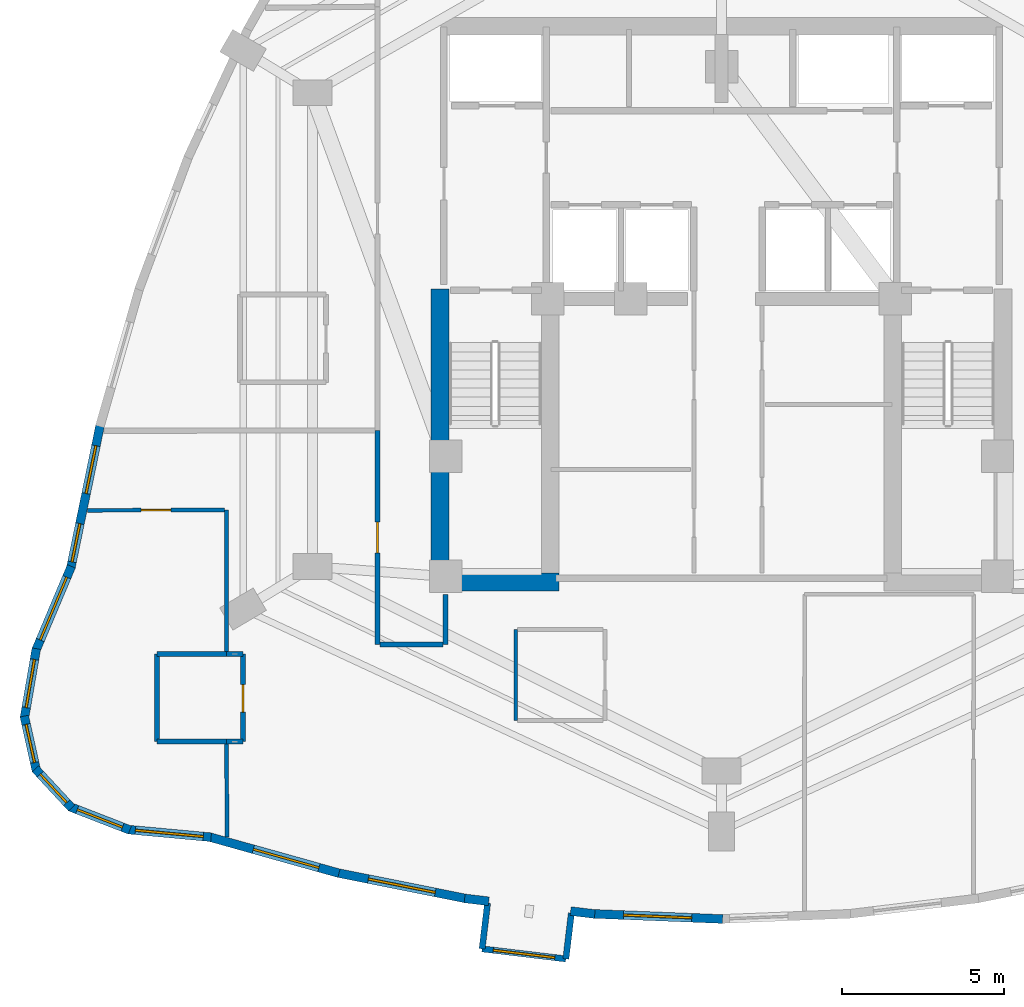
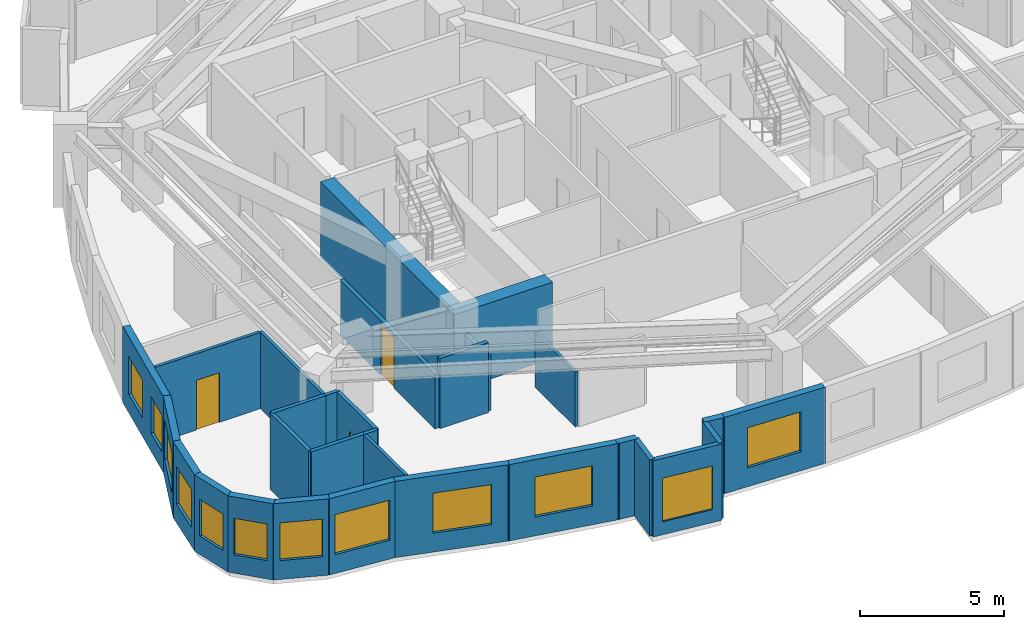
# One storey, part 5 of 11: 30 walls, 12 windows, 3 doors, 15 openings.
"""IFC4 building model written with IfcOpenShell, lengths in metres."""

from ifc_helpers import new_model, si_unit, direction, frame, frame_2d, origin, place, context, subcontext, project, spatial, rectangle, extrude, material, layer, layer_set, type_object, element, fill, save


model = new_model("IFC4")

# Units and contexts
model_context = context("Model", 3, precision=1e-05, world=origin(), true_north=direction((0.0, 1.0)))
body_context = subcontext(model_context, "Body", "Model", "MODEL_VIEW")
ifc_project = project(units=[si_unit("LENGTHUNIT", "METRE"), si_unit("AREAUNIT", "SQUARE_METRE"), si_unit("VOLUMEUNIT", "CUBIC_METRE"), si_unit("PLANEANGLEUNIT", "RADIAN"), si_unit("MASSUNIT", "GRAM", prefix="KILO")], contexts=[model_context])

# Site, building, storey
site_placement = place(None, origin())
site = spatial("IfcSite", under=ifc_project, at=site_placement, CompositionType="ELEMENT")
building_placement = place(site_placement, origin())
building = spatial("IfcBuilding", under=site, at=building_placement, Name="Miruveldt Soraemaru", CompositionType="ELEMENT")
storey_placement = place(building_placement, frame((0.0, 0.0, 149.39990234375)))
storey = spatial("IfcBuildingStorey", under=building, at=storey_placement, Name="L41", CompositionType="ELEMENT", Elevation=149.39990234375)

# Walls
ifc_material_1 = material(Name="White powder-coated aluminium EN AW-6060 T6", Category="aluminium")
ifc_layer_1 = layer(ifc_material_1, 0.18994140625, Name="White powder-coated aluminium EN AW-6060 T6", Category="aluminium")
ifc_layer_set_1 = layer_set([ifc_layer_1], Name="White powder-coated aluminium EN AW-6060 T6")
wall_type_1 = type_object("IfcWallType", Name="WALL-BAY-ALU190", PredefinedType="SOLIDWALL", material=ifc_layer_set_1)
for number, where, z_axis, x_axis, name in (
    (1, (36.79296875, 25.44189453125, 0.0), (0.0, 0.0, 1.0), (-0.119077659317, -0.992884943511, 0.0), "L41 Bay Window Side Cheek 1L"),
    (2, (39.20458984375, 23.71728515625, 0.0), (0.0, 0.0, 1.0), (0.119246559468, 0.992864672579, 0.0), "L41 Bay Window Side Cheek 1R"),
):
    element("IfcWall", number, at=place(storey_placement, frame(where, z_axis=z_axis, x_axis=x_axis)), inside=storey, type_object=wall_type_1, Name=name, PredefinedType="SOLIDWALL", context=body_context, shape_type="SweptSolid", body=[
        extrude(rectangle(XDim=1.425048828125, YDim=0.18994140625, at=frame_2d((0.71240234375, 0.0))), origin(), (0.0, 0.0, 1.0), 3.235107421875),
    ])

# Wall, opening, window
wall_1_placement = place(storey_placement, frame((36.623291015625, 24.027099609375, 0.0), z_axis=(0.0, 0.0, 1.0), x_axis=(0.992874172121, -0.119167438232, 0.0)))
wall_1 = element("IfcWall", 3, at=wall_1_placement, inside=storey, type_object=wall_type_1, Name="L41 Bay Window Front Frame 1", PredefinedType="SOLIDWALL", context=body_context, shape_type="SweptSolid", body=[
    extrude(rectangle(XDim=2.599853515625, YDim=0.18994140625, at=frame_2d((1.2998046875, 0.0))), origin(), (0.0, 0.0, 1.0), 3.235107421875),
])
opening_1_placement = place(wall_1_placement, frame((0.35009765625, 0.0, 0.550048828125)))
opening_1 = element("IfcOpeningElement", 4, at=opening_1_placement, cuts=wall_1, Name="Opening WN-6", PredefinedType="OPENING", context=body_context, shape_type="SweptSolid", body=[
    extrude(rectangle(XDim=1.89990234375, YDim=1.85009765625, at=frame_2d((0.949951171875, 0.925048828125))), frame((0.0, 0.10498046875, 0.0), z_axis=(0.0, -1.0, 0.0), x_axis=(1.0, 0.0, 0.0)), (0.0, 0.0, 1.0), 0.2099609375),
])
ifc_material_2 = material(Name="Triple low-e insulated glazing", Category="glass")
window_type_1 = type_object("IfcWindowType", Name="WIN-BAYW-1900x1850", PartitioningType="SINGLE_PANEL", PredefinedType="WINDOW", material=ifc_material_2)
window_1_placement = place(opening_1_placement, origin())
window_1 = element("IfcWindow", 5, at=window_1_placement, inside=storey, type_object=window_type_1, Name="L41 Projecting Bay Window 1", OverallHeight=1.85009765625, OverallWidth=1.89990234375, PartitioningType="SINGLE_PANEL", PredefinedType="WINDOW", context=body_context, shape_type="SweptSolid", body=[
    extrude(rectangle(XDim=1.89990234375, YDim=1.85009765625, at=frame_2d((0.949951171875, 0.925048828125))), frame((0.0, 0.030029296875, 0.0), z_axis=(0.0, -1.0, 0.0), x_axis=(1.0, 0.0, 0.0)), (0.0, 0.0, 1.0), 0.06005859375),
])
fill(opening_1, window_1)

# Walls
ifc_material_3 = material(Name="Concrete C70/85 (70 MPa)", Category="concrete")
ifc_layer_2 = layer(ifc_material_3, 0.550048828125, Name="Concrete C70/85 (70 MPa)", Category="concrete")
ifc_layer_set_2 = layer_set([ifc_layer_2], Name="Concrete C70/85 (70 MPa)")
wall_type_2 = type_object("IfcWallType", Name="WALL-CW-550", PredefinedType="SHEAR", material=ifc_layer_set_2)
wall_2_placement = place(storey_placement, frame((35.050048828125, 35.324951171875, 0.0), z_axis=(0.0, 0.0, 1.0), x_axis=(1.0, 0.0, 0.0)))
element("IfcWall", 6, at=wall_2_placement, inside=storey, type_object=wall_type_2, Name="L41 Central Core Shear Wall S1", PredefinedType="SHEAR", context=body_context, shape_type="SweptSolid", body=[
    extrude(rectangle(XDim=3.949951171875, YDim=0.550048828125, at=frame_2d((1.97509765625, 0.0))), origin(), (0.0, 0.0, 1.0), 3.235107421875),
])
wall_3_placement = place(storey_placement, frame((35.324951171875, 35.050048828125, 0.0), z_axis=(0.0, 0.0, 1.0), x_axis=(0.0, 1.0, 0.0)))
element("IfcWall", 7, at=wall_3_placement, inside=storey, type_object=wall_type_2, Name="L41 Central Core Shear Wall W1", PredefinedType="SHEAR", context=body_context, shape_type="SweptSolid", body=[
    extrude(rectangle(XDim=9.300048828125, YDim=0.550048828125, at=frame_2d((4.64990234375, 0.0))), origin(), (0.0, 0.0, 1.0), 3.235107421875),
])

# Wall, openings, windows
ifc_material_4 = material(Name="Precast concrete C45/55 (45 MPa)", Category="concrete")
ifc_layer_3 = layer(ifc_material_4, 0.27001953125, Name="Precast concrete C45/55 (45 MPa)", Category="concrete")
ifc_layer_set_3 = layer_set([ifc_layer_3], Name="Precast concrete C45/55 (45 MPa)")
wall_type_3 = type_object("IfcWallType", Name="WALL-EXT-PC270", PredefinedType="SOLIDWALL", material=ifc_layer_set_3)
wall_4_placement = place(storey_placement, frame((24.86376953125, 40.18701171875, 0.0), z_axis=(0.0, 0.0, 1.0), x_axis=(-0.201580000439, -0.979472053416, 0.0)))
wall_4 = element("IfcWall", 8, at=wall_4_placement, inside=storey, type_object=wall_type_3, Name="L41 Precast Concrete Facade Wall 14", PredefinedType="SOLIDWALL", context=body_context, shape_type="SweptSolid", body=[
    extrude(rectangle(XDim=4.534423828125, YDim=0.27001953125, at=frame_2d((2.26708984375, 0.0))), origin(), (0.0, 0.0, 1.0), 3.235107421875),
])
opening_2_placement = place(wall_4_placement, frame((0.675048828125, 0.0, 0.800048828125)))
opening_2 = element("IfcOpeningElement", 9, at=opening_2_placement, cuts=wall_4, Name="Opening WN-3", PredefinedType="OPENING", context=body_context, shape_type="SweptSolid", body=[
    extrude(rectangle(XDim=1.5, YDim=1.60009765625, at=frame_2d((0.75, 0.800048828125))), frame((0.0, 0.14501953125, 0.0), z_axis=(0.0, -1.0, 0.0), x_axis=(1.0, 0.0, 0.0)), (0.0, 0.0, 1.0), 0.2900390625),
])
opening_3_placement = place(wall_4_placement, frame((3.1259765625, 0.0, 0.780029296875)))
opening_3 = element("IfcOpeningElement", 10, at=opening_3_placement, cuts=wall_4, Name="Opening WN-4", PredefinedType="OPENING", context=body_context, shape_type="SweptSolid", body=[
    extrude(rectangle(XDim=1.199951171875, YDim=1.550048828125, at=frame_2d((0.60009765625, 0.77490234375))), frame((0.0, 0.14501953125, 0.0), z_axis=(0.0, -1.0, 0.0), x_axis=(1.0, 0.0, 0.0)), (0.0, 0.0, 1.0), 0.2900390625),
])
window_type_2 = type_object("IfcWindowType", Name="WIN-PUNCH-1200x1550", PartitioningType="SINGLE_PANEL", PredefinedType="WINDOW", material=ifc_material_2)
window_2_placement = place(opening_3_placement, origin())
window_2 = element("IfcWindow", 11, at=window_2_placement, inside=storey, type_object=window_type_2, Name="L41 Punched Triple-Glazed Window 14.2", OverallHeight=1.550048828125, OverallWidth=1.199951171875, PartitioningType="SINGLE_PANEL", PredefinedType="WINDOW", context=body_context, shape_type="SweptSolid", body=[
    extrude(rectangle(XDim=1.199951171875, YDim=1.550048828125, at=frame_2d((0.60009765625, 0.77490234375))), frame((0.0, 0.030029296875, 0.0), z_axis=(0.0, -1.0, 0.0), x_axis=(1.0, 0.0, 0.0)), (0.0, 0.0, 1.0), 0.06005859375),
])
fill(opening_3, window_2)
window_type_3 = type_object("IfcWindowType", Name="WIN-PUNCH-1500x1600", PartitioningType="SINGLE_PANEL", PredefinedType="WINDOW", material=ifc_material_2)
window_3_placement = place(opening_2_placement, origin())
window_3 = element("IfcWindow", 12, at=window_3_placement, inside=storey, type_object=window_type_3, Name="L41 Punched Triple-Glazed Window 14.1", OverallHeight=1.60009765625, OverallWidth=1.5, PartitioningType="SINGLE_PANEL", PredefinedType="WINDOW", context=body_context, shape_type="SweptSolid", body=[
    extrude(rectangle(XDim=1.5, YDim=1.60009765625, at=frame_2d((0.75, 0.800048828125))), frame((0.0, 0.030029296875, 0.0), z_axis=(0.0, -1.0, 0.0), x_axis=(1.0, 0.0, 0.0)), (0.0, 0.0, 1.0), 0.06005859375),
])
fill(opening_2, window_3)

# Wall, opening, window
wall_5_placement = place(storey_placement, frame((23.97021484375, 35.81201171875, 0.0), z_axis=(0.0, 0.0, 1.0), x_axis=(-0.388605388091, -0.921404282791, 0.0)))
wall_5 = element("IfcWall", 13, at=wall_5_placement, inside=storey, type_object=wall_type_3, Name="L41 Precast Concrete Facade Wall 15", PredefinedType="SOLIDWALL", context=body_context, shape_type="SweptSolid", body=[
    extrude(rectangle(XDim=2.825927734375, YDim=0.27001953125, at=frame_2d((1.4130859375, 0.0))), origin(), (0.0, 0.0, 1.0), 3.235107421875),
])
opening_4_placement = place(wall_5_placement, frame((0.363037109375, 0.0, 0.800048828125)))
opening_4 = element("IfcOpeningElement", 14, at=opening_4_placement, cuts=wall_5, Name="Opening WN-1", PredefinedType="OPENING", context=body_context, shape_type="SweptSolid", body=[
    extrude(rectangle(XDim=2.10009765625, YDim=1.699951171875, at=frame_2d((1.050048828125, 0.85009765625))), frame((0.0, 0.14501953125, 0.0), z_axis=(0.0, -1.0, 0.0), x_axis=(1.0, 0.0, 0.0)), (0.0, 0.0, 1.0), 0.2900390625),
])
window_type_4 = type_object("IfcWindowType", Name="WIN-PUNCH-2100x1700", PartitioningType="SINGLE_PANEL", PredefinedType="WINDOW", material=ifc_material_2)
window_4_placement = place(opening_4_placement, origin())
window_4 = element("IfcWindow", 15, at=window_4_placement, inside=storey, type_object=window_type_4, Name="L41 Punched Triple-Glazed Window 15.1", OverallHeight=1.699951171875, OverallWidth=2.10009765625, PartitioningType="SINGLE_PANEL", PredefinedType="WINDOW", context=body_context, shape_type="SweptSolid", body=[
    extrude(rectangle(XDim=2.10009765625, YDim=1.699951171875, at=frame_2d((1.050048828125, 0.85009765625))), frame((0.0, 0.030029296875, 0.0), z_axis=(0.0, -1.0, 0.0), x_axis=(1.0, 0.0, 0.0)), (0.0, 0.0, 1.0), 0.06005859375),
])
fill(opening_4, window_4)

wall_6_placement = place(storey_placement, frame((22.8916015625, 33.27490234375, 0.0), z_axis=(0.0, 0.0, 1.0), x_axis=(-0.169377605591, -0.985551229883, 0.0)))
wall_6 = element("IfcWall", 16, at=wall_6_placement, inside=storey, type_object=wall_type_3, Name="L41 Precast Concrete Facade Wall 16", PredefinedType="SOLIDWALL", context=body_context, shape_type="SweptSolid", body=[
    extrude(rectangle(XDim=2.177978515625, YDim=0.27001953125, at=frame_2d((1.0888671875, 0.0))), origin(), (0.0, 0.0, 1.0), 3.235107421875),
])
opening_5_placement = place(wall_6_placement, frame((0.339111328125, 0.0, 0.800048828125)))
opening_5 = element("IfcOpeningElement", 17, at=opening_5_placement, cuts=wall_6, Name="Opening WN-3", PredefinedType="OPENING", context=body_context, shape_type="SweptSolid", body=[
    extrude(rectangle(XDim=1.5, YDim=1.60009765625, at=frame_2d((0.75, 0.800048828125))), frame((0.0, 0.14501953125, 0.0), z_axis=(0.0, -1.0, 0.0), x_axis=(1.0, 0.0, 0.0)), (0.0, 0.0, 1.0), 0.2900390625),
])
window_5_placement = place(opening_5_placement, origin())
window_5 = element("IfcWindow", 18, at=window_5_placement, inside=storey, type_object=window_type_3, Name="L41 Punched Triple-Glazed Window 16.1", OverallHeight=1.60009765625, OverallWidth=1.5, PartitioningType="SINGLE_PANEL", PredefinedType="WINDOW", context=body_context, shape_type="SweptSolid", body=[
    extrude(rectangle(XDim=1.5, YDim=1.60009765625, at=frame_2d((0.75, 0.800048828125))), frame((0.0, 0.030029296875, 0.0), z_axis=(0.0, -1.0, 0.0), x_axis=(1.0, 0.0, 0.0)), (0.0, 0.0, 1.0), 0.06005859375),
])
fill(opening_5, window_5)

wall_7_placement = place(storey_placement, frame((22.52099609375, 31.197021484375, 0.0), z_axis=(0.0, 0.0, 1.0), x_axis=(0.215836362182, -0.976429549307, 0.0)))
wall_7 = element("IfcWall", 19, at=wall_7_placement, inside=storey, type_object=wall_type_3, Name="L41 Precast Concrete Facade Wall 17", PredefinedType="SOLIDWALL", context=body_context, shape_type="SweptSolid", body=[
    extrude(rectangle(XDim=1.72509765625, YDim=0.27001953125, at=frame_2d((0.862548828125, 0.0))), origin(), (0.0, 0.0, 1.0), 3.235107421875),
])
opening_6_placement = place(wall_7_placement, frame((0.261962890625, 0.0, 0.780029296875)))
opening_6 = element("IfcOpeningElement", 20, at=opening_6_placement, cuts=wall_7, Name="Opening WN-4", PredefinedType="OPENING", context=body_context, shape_type="SweptSolid", body=[
    extrude(rectangle(XDim=1.199951171875, YDim=1.550048828125, at=frame_2d((0.60009765625, 0.77490234375))), frame((0.0, 0.14501953125, 0.0), z_axis=(0.0, -1.0, 0.0), x_axis=(1.0, 0.0, 0.0)), (0.0, 0.0, 1.0), 0.2900390625),
])
window_6_placement = place(opening_6_placement, origin())
window_6 = element("IfcWindow", 21, at=window_6_placement, inside=storey, type_object=window_type_2, Name="L41 Punched Triple-Glazed Window 17.1", OverallHeight=1.550048828125, OverallWidth=1.199951171875, PartitioningType="SINGLE_PANEL", PredefinedType="WINDOW", context=body_context, shape_type="SweptSolid", body=[
    extrude(rectangle(XDim=1.199951171875, YDim=1.550048828125, at=frame_2d((0.60009765625, 0.77490234375))), frame((0.0, 0.030029296875, 0.0), z_axis=(0.0, -1.0, 0.0), x_axis=(1.0, 0.0, 0.0)), (0.0, 0.0, 1.0), 0.06005859375),
])
fill(opening_6, window_6)

wall_8_placement = place(storey_placement, frame((22.86181640625, 29.572509765625, 0.0), z_axis=(0.0, 0.0, 1.0), x_axis=(0.680189136537, -0.733036655657, 0.0)))
wall_8 = element("IfcWall", 22, at=wall_8_placement, inside=storey, type_object=wall_type_3, Name="L41 Precast Concrete Facade Wall 18", PredefinedType="SOLIDWALL", context=body_context, shape_type="SweptSolid", body=[
    extrude(rectangle(XDim=1.64453125, YDim=0.27001953125, at=frame_2d((0.822265625, 0.0))), origin(), (0.0, 0.0, 1.0), 3.235107421875),
])
opening_7_placement = place(wall_8_placement, frame((0.222900390625, 0.0, 0.780029296875)))
opening_7 = element("IfcOpeningElement", 23, at=opening_7_placement, cuts=wall_8, Name="Opening WN-4", PredefinedType="OPENING", context=body_context, shape_type="SweptSolid", body=[
    extrude(rectangle(XDim=1.199951171875, YDim=1.550048828125, at=frame_2d((0.60009765625, 0.77490234375))), frame((0.0, 0.14501953125, 0.0), z_axis=(0.0, -1.0, 0.0), x_axis=(1.0, 0.0, 0.0)), (0.0, 0.0, 1.0), 0.2900390625),
])
window_7_placement = place(opening_7_placement, origin())
window_7 = element("IfcWindow", 24, at=window_7_placement, inside=storey, type_object=window_type_2, Name="L41 Punched Triple-Glazed Window 18.1", OverallHeight=1.550048828125, OverallWidth=1.199951171875, PartitioningType="SINGLE_PANEL", PredefinedType="WINDOW", context=body_context, shape_type="SweptSolid", body=[
    extrude(rectangle(XDim=1.199951171875, YDim=1.550048828125, at=frame_2d((0.60009765625, 0.77490234375))), frame((0.0, 0.030029296875, 0.0), z_axis=(0.0, -1.0, 0.0), x_axis=(1.0, 0.0, 0.0)), (0.0, 0.0, 1.0), 0.06005859375),
])
fill(opening_7, window_7)

wall_9_placement = place(storey_placement, frame((23.924072265625, 28.4052734375, 0.0), z_axis=(0.0, 0.0, 1.0), x_axis=(0.93226989237, -0.361763524668, 0.0)))
wall_9 = element("IfcWall", 25, at=wall_9_placement, inside=storey, type_object=wall_type_3, Name="L41 Precast Concrete Facade Wall 19", PredefinedType="SOLIDWALL", context=body_context, shape_type="SweptSolid", body=[
    extrude(rectangle(XDim=1.98486328125, YDim=0.27001953125, at=frame_2d((0.992431640625, 0.0))), origin(), (0.0, 0.0, 1.0), 3.235107421875),
])
opening_8_placement = place(wall_9_placement, frame((0.241943359375, 0.0, 0.800048828125)))
opening_8 = element("IfcOpeningElement", 26, at=opening_8_placement, cuts=wall_9, Name="Opening WN-3", PredefinedType="OPENING", context=body_context, shape_type="SweptSolid", body=[
    extrude(rectangle(XDim=1.5, YDim=1.60009765625, at=frame_2d((0.75, 0.800048828125))), frame((0.0, 0.14501953125, 0.0), z_axis=(0.0, -1.0, 0.0), x_axis=(1.0, 0.0, 0.0)), (0.0, 0.0, 1.0), 0.2900390625),
])
window_8_placement = place(opening_8_placement, origin())
window_8 = element("IfcWindow", 27, at=window_8_placement, inside=storey, type_object=window_type_3, Name="L41 Punched Triple-Glazed Window 19.1", OverallHeight=1.60009765625, OverallWidth=1.5, PartitioningType="SINGLE_PANEL", PredefinedType="WINDOW", context=body_context, shape_type="SweptSolid", body=[
    extrude(rectangle(XDim=1.5, YDim=1.60009765625, at=frame_2d((0.75, 0.800048828125))), frame((0.0, 0.030029296875, 0.0), z_axis=(0.0, -1.0, 0.0), x_axis=(1.0, 0.0, 0.0)), (0.0, 0.0, 1.0), 0.06005859375),
])
fill(opening_8, window_8)

wall_10_placement = place(storey_placement, frame((25.706787109375, 27.703125, 0.0), z_axis=(0.0, 0.0, 1.0), x_axis=(0.995768944137, -0.091892382129, 0.0)))
wall_10 = element("IfcWall", 28, at=wall_10_placement, inside=storey, type_object=wall_type_3, Name="L41 Precast Concrete Facade Wall 20", PredefinedType="SOLIDWALL", context=body_context, shape_type="SweptSolid", body=[
    extrude(rectangle(XDim=2.579833984375, YDim=0.27001953125, at=frame_2d((1.2900390625, 0.0))), origin(), (0.0, 0.0, 1.0), 3.235107421875),
])
opening_9_placement = place(wall_10_placement, frame((0.239990234375, 0.0, 0.800048828125)))
opening_9 = element("IfcOpeningElement", 29, at=opening_9_placement, cuts=wall_10, Name="Opening WN-1", PredefinedType="OPENING", context=body_context, shape_type="SweptSolid", body=[
    extrude(rectangle(XDim=2.10009765625, YDim=1.699951171875, at=frame_2d((1.050048828125, 0.85009765625))), frame((0.0, 0.14501953125, 0.0), z_axis=(0.0, -1.0, 0.0), x_axis=(1.0, 0.0, 0.0)), (0.0, 0.0, 1.0), 0.2900390625),
])
window_9_placement = place(opening_9_placement, origin())
window_9 = element("IfcWindow", 30, at=window_9_placement, inside=storey, type_object=window_type_4, Name="L41 Punched Triple-Glazed Window 20.1", OverallHeight=1.699951171875, OverallWidth=2.10009765625, PartitioningType="SINGLE_PANEL", PredefinedType="WINDOW", context=body_context, shape_type="SweptSolid", body=[
    extrude(rectangle(XDim=2.10009765625, YDim=1.699951171875, at=frame_2d((1.050048828125, 0.85009765625))), frame((0.0, 0.030029296875, 0.0), z_axis=(0.0, -1.0, 0.0), x_axis=(1.0, 0.0, 0.0)), (0.0, 0.0, 1.0), 0.06005859375),
])
fill(opening_9, window_9)

wall_11_placement = place(storey_placement, frame((28.20703125, 27.478515625, 0.0), z_axis=(0.0, 0.0, 1.0), x_axis=(0.962978032601, -0.269579874485, 0.0)))
wall_11 = element("IfcWall", 31, at=wall_11_placement, inside=storey, type_object=wall_type_3, Name="L41 Precast Concrete Facade Wall 21", PredefinedType="SOLIDWALL", context=body_context, shape_type="SweptSolid", body=[
    extrude(rectangle(XDim=4.161376953125, YDim=0.27001953125, at=frame_2d((2.08056640625, 0.0))), origin(), (0.0, 0.0, 1.0), 3.235107421875),
])
opening_10_placement = place(wall_11_placement, frame((1.4208984375, 0.0, 0.800048828125)))
opening_10 = element("IfcOpeningElement", 32, at=opening_10_placement, cuts=wall_11, Name="Opening WN-1", PredefinedType="OPENING", context=body_context, shape_type="SweptSolid", body=[
    extrude(rectangle(XDim=2.10009765625, YDim=1.699951171875, at=frame_2d((1.050048828125, 0.85009765625))), frame((0.0, 0.14501953125, 0.0), z_axis=(0.0, -1.0, 0.0), x_axis=(1.0, 0.0, 0.0)), (0.0, 0.0, 1.0), 0.2900390625),
])
window_10_placement = place(opening_10_placement, origin())
window_10 = element("IfcWindow", 33, at=window_10_placement, inside=storey, type_object=window_type_4, Name="L41 Punched Triple-Glazed Window 21.1", OverallHeight=1.699951171875, OverallWidth=2.10009765625, PartitioningType="SINGLE_PANEL", PredefinedType="WINDOW", context=body_context, shape_type="SweptSolid", body=[
    extrude(rectangle(XDim=2.10009765625, YDim=1.699951171875, at=frame_2d((1.050048828125, 0.85009765625))), frame((0.0, 0.030029296875, 0.0), z_axis=(0.0, -1.0, 0.0), x_axis=(1.0, 0.0, 0.0)), (0.0, 0.0, 1.0), 0.06005859375),
])
fill(opening_10, window_10)

wall_12_placement = place(storey_placement, frame((32.146240234375, 26.372802734375, 0.0), z_axis=(0.0, 0.0, 1.0), x_axis=(0.980578378617, -0.196127620158, 0.0)))
wall_12 = element("IfcWall", 34, at=wall_12_placement, inside=storey, type_object=wall_type_3, Name="L41 Precast Concrete Facade Wall 22", PredefinedType="SOLIDWALL", context=body_context, shape_type="SweptSolid", body=[
    extrude(rectangle(XDim=4.087890625, YDim=0.27001953125, at=frame_2d((2.0439453125, 0.0))), origin(), (0.0, 0.0, 1.0), 3.235107421875),
])
opening_11_placement = place(wall_12_placement, frame((0.993896484375, 0.0, 0.800048828125)))
opening_11 = element("IfcOpeningElement", 35, at=opening_11_placement, cuts=wall_12, Name="Opening WN-1", PredefinedType="OPENING", context=body_context, shape_type="SweptSolid", body=[
    extrude(rectangle(XDim=2.10009765625, YDim=1.699951171875, at=frame_2d((1.050048828125, 0.85009765625))), frame((0.0, 0.14501953125, 0.0), z_axis=(0.0, -1.0, 0.0), x_axis=(1.0, 0.0, 0.0)), (0.0, 0.0, 1.0), 0.2900390625),
])
window_11_placement = place(opening_11_placement, origin())
window_11 = element("IfcWindow", 36, at=window_11_placement, inside=storey, type_object=window_type_4, Name="L41 Punched Triple-Glazed Window 22.1", OverallHeight=1.699951171875, OverallWidth=2.10009765625, PartitioningType="SINGLE_PANEL", PredefinedType="WINDOW", context=body_context, shape_type="SweptSolid", body=[
    extrude(rectangle(XDim=2.10009765625, YDim=1.699951171875, at=frame_2d((1.050048828125, 0.85009765625))), frame((0.0, 0.030029296875, 0.0), z_axis=(0.0, -1.0, 0.0), x_axis=(1.0, 0.0, 0.0)), (0.0, 0.0, 1.0), 0.06005859375),
])
fill(opening_11, window_11)

# Walls
for number, where, z_axis, x_axis, name in (
    (37, (36.085693359375, 25.582275390625, 0.0), (0.0, 0.0, 1.0), (0.992858318033, -0.119299456467, 0.0), "L41 Precast Pier Wall 23A"),
    (38, (39.351318359375, 25.1904296875, 0.0), (0.0, 0.0, 1.0), (0.992858318033, -0.119299456467, 0.0), "L41 Precast Pier Wall 23B"),
):
    element("IfcWall", number, at=place(storey_placement, frame(where, z_axis=z_axis, x_axis=x_axis)), inside=storey, type_object=wall_type_3, Name=name, PredefinedType="SOLIDWALL", context=body_context, shape_type="SweptSolid", body=[
        extrude(rectangle(XDim=0.7490234375, YDim=0.27001953125, at=frame_2d((0.37451171875, 0.0))), origin(), (0.0, 0.0, 1.0), 3.235107421875),
    ])

# Wall, opening, window
wall_13_placement = place(storey_placement, frame((40.025146484375, 25.106689453125, 0.0), z_axis=(0.0, 0.0, 1.0), x_axis=(0.999200861534, -0.039970467975, 0.0)))
wall_13 = element("IfcWall", 39, at=wall_13_placement, inside=storey, type_object=wall_type_3, Name="L41 Precast Concrete Facade Wall 24", PredefinedType="SOLIDWALL", context=body_context, shape_type="SweptSolid", body=[
    extrude(rectangle(XDim=4.012939453125, YDim=0.27001953125, at=frame_2d((2.00634765625, 0.0))), origin(), (0.0, 0.0, 1.0), 3.235107421875),
])
opening_12_placement = place(wall_13_placement, frame((0.9560546875, 0.0, 0.800048828125)))
opening_12 = element("IfcOpeningElement", 40, at=opening_12_placement, cuts=wall_13, Name="Opening WN-1", PredefinedType="OPENING", context=body_context, shape_type="SweptSolid", body=[
    extrude(rectangle(XDim=2.10009765625, YDim=1.699951171875, at=frame_2d((1.050048828125, 0.85009765625))), frame((0.0, 0.14501953125, 0.0), z_axis=(0.0, -1.0, 0.0), x_axis=(1.0, 0.0, 0.0)), (0.0, 0.0, 1.0), 0.2900390625),
])
window_12_placement = place(opening_12_placement, origin())
window_12 = element("IfcWindow", 41, at=window_12_placement, inside=storey, type_object=window_type_4, Name="L41 Punched Triple-Glazed Window 24.1", OverallHeight=1.699951171875, OverallWidth=2.10009765625, PartitioningType="SINGLE_PANEL", PredefinedType="WINDOW", context=body_context, shape_type="SweptSolid", body=[
    extrude(rectangle(XDim=2.10009765625, YDim=1.699951171875, at=frame_2d((1.050048828125, 0.85009765625))), frame((0.0, 0.030029296875, 0.0), z_axis=(0.0, -1.0, 0.0), x_axis=(1.0, 0.0, 0.0)), (0.0, 0.0, 1.0), 0.06005859375),
])
fill(opening_12, window_12)

# Wall, opening, door
ifc_material_5 = material(Name="Gypsum plasterboard lining", Category="gypsum")
ifc_layer_4 = layer(ifc_material_5, 0.1201171875, Name="Gypsum plasterboard lining", Category="gypsum")
ifc_layer_set_4 = layer_set([ifc_layer_4], Name="Gypsum plasterboard lining")
wall_type_4 = type_object("IfcWallType", Name="WALL-INT-P120", PredefinedType="PARTITIONING", material=ifc_layer_set_4)
wall_14_placement = place(storey_placement, frame((24.470947265625, 37.535888671875, 0.0), z_axis=(0.0, 0.0, 1.0), x_axis=(0.999994365107, 0.003357045388, 0.0)))
wall_14 = element("IfcWall", 42, at=wall_14_placement, inside=storey, type_object=wall_type_4, Name="L41 Partition Wall 49", PredefinedType="PARTITIONING", context=body_context, shape_type="SweptSolid", body=[
    extrude(rectangle(XDim=4.218017578125, YDim=0.1201171875, at=frame_2d((2.10888671875, 0.0))), origin(), (0.0, 0.0, 1.0), 3.235107421875),
])
opening_13_placement = place(wall_14_placement, frame((1.64892578125, 0.0, 0.0)))
opening_13 = element("IfcOpeningElement", 43, at=opening_13_placement, cuts=wall_14, Name="Opening D3A", PredefinedType="OPENING", context=body_context, shape_type="SweptSolid", body=[
    extrude(rectangle(XDim=0.919921875, YDim=2.10009765625, at=frame_2d((0.4599609375, 1.050048828125))), frame((0.0, 0.070068359375, 0.0), z_axis=(0.0, -1.0, 0.0), x_axis=(1.0, 0.0, 0.0)), (0.0, 0.0, 1.0), 0.14013671875),
])
ifc_material_6 = material(Name="Anodised aluminium EN AW-6063 T6", Category="aluminium")
door_type_1 = type_object("IfcDoorType", Name="DOOR-INT-920", OperationType="NOTDEFINED", PredefinedType="DOOR", material=ifc_material_6)
door_1_placement = place(opening_13_placement, origin())
door_1 = element("IfcDoor", 44, at=door_1_placement, inside=storey, type_object=door_type_1, Name="L41 Unit 4105 BD1 Door", OperationType="SINGLE_SWING_RIGHT", OverallHeight=2.10009765625, OverallWidth=0.919921875, PredefinedType="DOOR", context=body_context, shape_type="SweptSolid", body=[
    extrude(rectangle(XDim=0.919921875, YDim=2.10009765625, at=frame_2d((0.4599609375, 1.050048828125))), frame((0.0, 0.02490234375, 0.0), z_axis=(0.0, -1.0, 0.0), x_axis=(1.0, 0.0, 0.0)), (0.0, 0.0, 1.0), 0.050048828125),
])
fill(opening_13, door_1)

# Walls
wall_15_placement = place(storey_placement, frame((28.7490234375, 37.550048828125, 0.0), z_axis=(0.0, 0.0, 1.0), x_axis=(0.0, -1.0, 0.0)))
element("IfcWall", 45, at=wall_15_placement, inside=storey, type_object=wall_type_4, Name="L41 Partition Wall 50", PredefinedType="PARTITIONING", context=body_context, shape_type="SweptSolid", body=[
    extrude(rectangle(XDim=4.43994140625, YDim=0.1201171875, at=frame_2d((2.219970703125, 0.0))), origin(), (0.0, 0.0, 1.0), 3.235107421875),
])
wall_16_placement = place(storey_placement, frame((28.7490234375, 30.409912109375, 0.0), z_axis=(0.0, 0.0, 1.0), x_axis=(0.006492829091, -0.999978921363, 0.0)))
element("IfcWall", 46, at=wall_16_placement, inside=storey, type_object=wall_type_4, Name="L41 Partition Wall 51", PredefinedType="PARTITIONING", context=body_context, shape_type="SweptSolid", body=[
    extrude(rectangle(XDim=2.932861328125, YDim=0.1201171875, at=frame_2d((1.46630859375, 0.0))), origin(), (0.0, 0.0, 1.0), 3.235107421875),
])
wall_17_placement = place(storey_placement, frame((37.658935546875, 33.860107421875, 0.0), z_axis=(0.0, 0.0, 1.0), x_axis=(0.0, -1.0, 0.0)))
element("IfcWall", 47, at=wall_17_placement, inside=storey, type_object=wall_type_4, Name="L41 Partition Wall 47", PredefinedType="PARTITIONING", context=body_context, shape_type="SweptSolid", body=[
    extrude(rectangle(XDim=2.800048828125, YDim=0.1201171875, at=frame_2d((1.39990234375, 0.0))), origin(), (0.0, 0.0, 1.0), 2.322998046875),
])

# Wall, opening, door
ifc_layer_5 = layer(ifc_material_5, 0.14990234375, Name="Gypsum plasterboard lining", Category="gypsum")
ifc_layer_set_5 = layer_set([ifc_layer_5], Name="Gypsum plasterboard lining")
wall_type_5 = type_object("IfcWallType", Name="WALL-INT-PLUMB", PredefinedType="PLUMBINGWALL", material=ifc_layer_set_5)
wall_18_placement = place(storey_placement, frame((29.259033203125, 30.409912109375, 0.0), z_axis=(0.0, 0.0, 1.0), x_axis=(0.0, 1.0, 0.0)))
wall_18 = element("IfcWall", 48, at=wall_18_placement, inside=storey, type_object=wall_type_5, Name="L41 Partition Wall 42", PredefinedType="PLUMBINGWALL", context=body_context, shape_type="SweptSolid", body=[
    extrude(rectangle(XDim=2.7001953125, YDim=0.14990234375, at=frame_2d((1.35009765625, 0.0))), origin(), (0.0, 0.0, 1.0), 3.235107421875),
])
opening_14_placement = place(wall_18_placement, frame((0.909912109375, 0.0, 0.0)))
opening_14 = element("IfcOpeningElement", 49, at=opening_14_placement, cuts=wall_18, Name="Opening FD3", PredefinedType="OPENING", context=body_context, shape_type="SweptSolid", body=[
    extrude(rectangle(XDim=0.85009765625, YDim=2.10009765625, at=frame_2d((0.425048828125, 1.050048828125))), frame((0.0, 0.0849609375, 0.0), z_axis=(0.0, -1.0, 0.0), x_axis=(1.0, 0.0, 0.0)), (0.0, 0.0, 1.0), 0.169921875),
])
door_type_2 = type_object("IfcDoorType", Name="DOOR-FD3-850", OperationType="NOTDEFINED", PredefinedType="DOOR", material=ifc_material_6)
door_2_placement = place(opening_14_placement, origin())
door_2 = element("IfcDoor", 50, at=door_2_placement, inside=storey, type_object=door_type_2, Name="L41 Unit 4105 BTH Door", OperationType="SINGLE_SWING_RIGHT", OverallHeight=2.10009765625, OverallWidth=0.85009765625, PredefinedType="DOOR", context=body_context, shape_type="SweptSolid", body=[
    extrude(rectangle(XDim=0.85009765625, YDim=2.10009765625, at=frame_2d((0.425048828125, 1.050048828125))), frame((0.0, 0.02490234375, 0.0), z_axis=(0.0, -1.0, 0.0), x_axis=(1.0, 0.0, 0.0)), (0.0, 0.0, 1.0), 0.050048828125),
])
fill(opening_14, door_2)

# Walls
wall_19_placement = place(storey_placement, frame((26.60888671875, 33.110107421875, 0.0), z_axis=(0.0, 0.0, 1.0), x_axis=(0.0, -1.0, 0.0)))
element("IfcWall", 51, at=wall_19_placement, inside=storey, type_object=wall_type_5, Name="L41 Partition Wall 53", PredefinedType="PLUMBINGWALL", context=body_context, shape_type="SweptSolid", body=[
    extrude(rectangle(XDim=2.7001953125, YDim=0.14990234375, at=frame_2d((1.35009765625, 0.0))), origin(), (0.0, 0.0, 1.0), 3.235107421875),
])
for number, where, z_axis, x_axis, name in (
    (52, (28.7490234375, 33.110107421875, 0.0), (0.0, 0.0, 1.0), (-1.0, 0.0, 0.0), "L41 Partition Wall 52"),
    (53, (26.60888671875, 30.409912109375, 0.0), (0.0, 0.0, 1.0), (1.0, 0.0, 0.0), "L41 Partition Wall 54"),
):
    element("IfcWall", number, at=place(storey_placement, frame(where, z_axis=z_axis, x_axis=x_axis)), inside=storey, type_object=wall_type_5, Name=name, PredefinedType="PLUMBINGWALL", context=body_context, shape_type="SweptSolid", body=[
        extrude(rectangle(XDim=2.14013671875, YDim=0.14990234375, at=frame_2d((1.070068359375, 0.0))), origin(), (0.0, 0.0, 1.0), 3.235107421875),
    ])
for number, where, z_axis, x_axis, name in (
    (54, (29.259033203125, 33.110107421875, 0.0), (0.0, 0.0, 1.0), (-1.0, 0.0, 0.0), "L41 Partition Wall 43"),
    (55, (28.7490234375, 30.409912109375, 0.0), (0.0, 0.0, 1.0), (1.0, 0.0, 0.0), "L41 Partition Wall 44"),
):
    element("IfcWall", number, at=place(storey_placement, frame(where, z_axis=z_axis, x_axis=x_axis)), inside=storey, type_object=wall_type_5, Name=name, PredefinedType="PLUMBINGWALL", context=body_context, shape_type="SweptSolid", body=[
        extrude(rectangle(XDim=0.510009765625, YDim=0.14990234375, at=frame_2d((0.2548828125, 0.0))), origin(), (0.0, 0.0, 1.0), 3.235107421875),
    ])

# Wall, opening, door
ifc_material_7 = material(Name="Concrete C40/50 (40 MPa)", Category="concrete")
ifc_layer_6 = layer(ifc_material_7, 0.159912109375, Name="Concrete C40/50 (40 MPa)", Category="concrete")
ifc_layer_set_6 = layer_set([ifc_layer_6], Name="Concrete C40/50 (40 MPa)")
wall_type_6 = type_object("IfcWallType", Name="WALL-INT-RC160", PredefinedType="SOLIDWALL", material=ifc_layer_set_6)
wall_20_placement = place(storey_placement, frame((33.39990234375, 40.0, 0.0), z_axis=(0.0, 0.0, 1.0), x_axis=(0.0, -1.0, 0.0)))
wall_20 = element("IfcWall", 56, at=wall_20_placement, inside=storey, type_object=wall_type_6, Name="L41 Partition Wall 7", PredefinedType="SOLIDWALL", context=body_context, shape_type="SweptSolid", body=[
    extrude(rectangle(XDim=6.60009765625, YDim=0.159912109375, at=frame_2d((3.300048828125, 0.0))), origin(), (0.0, 0.0, 1.0), 2.322998046875),
])
opening_15_placement = place(wall_20_placement, frame((2.824951171875, 0.0, 0.0)))
opening_15 = element("IfcOpeningElement", 57, at=opening_15_placement, cuts=wall_20, Name="Opening FD2", PredefinedType="OPENING", context=body_context, shape_type="SweptSolid", body=[
    extrude(rectangle(XDim=0.949951171875, YDim=2.14990234375, at=frame_2d((0.47509765625, 1.074951171875))), frame((0.0, 0.08984375, 0.0), z_axis=(0.0, -1.0, 0.0), x_axis=(1.0, 0.0, 0.0)), (0.0, 0.0, 1.0), 0.179931640625),
])
door_type_3 = type_object("IfcDoorType", Name="DOOR-FD2-950", OperationType="NOTDEFINED", PredefinedType="DOOR", material=ifc_material_6)
door_3_placement = place(opening_15_placement, origin())
door_3 = element("IfcDoor", 58, at=door_3_placement, inside=storey, type_object=door_type_3, Name="L41 Unit 4105 Entrance Fire Door", OperationType="SINGLE_SWING_LEFT", OverallHeight=2.14990234375, OverallWidth=0.949951171875, PredefinedType="DOOR", context=body_context, shape_type="SweptSolid", body=[
    extrude(rectangle(XDim=0.949951171875, YDim=2.14990234375, at=frame_2d((0.47509765625, 1.074951171875))), frame((0.0, 0.02490234375, 0.0), z_axis=(0.0, -1.0, 0.0), x_axis=(1.0, 0.0, 0.0)), (0.0, 0.0, 1.0), 0.050048828125),
])
fill(opening_15, door_3)

# Walls
wall_21_placement = place(storey_placement, frame((33.47998046875, 33.39990234375, 0.0), z_axis=(0.0, 0.0, 1.0), x_axis=(1.0, 0.0, 0.0)))
element("IfcWall", 59, at=wall_21_placement, inside=storey, type_object=wall_type_6, Name="L41 Partition Wall 8", PredefinedType="SOLIDWALL", context=body_context, shape_type="SweptSolid", body=[
    extrude(rectangle(XDim=1.93994140625, YDim=0.159912109375, at=frame_2d((0.969970703125, 0.0))), origin(), (0.0, 0.0, 1.0), 2.97314453125),
])
wall_22_placement = place(storey_placement, frame((35.5, 33.39990234375, 0.0), z_axis=(0.0, 0.0, 1.0), x_axis=(0.0, 1.0, 0.0)))
element("IfcWall", 60, at=wall_22_placement, inside=storey, type_object=wall_type_6, Name="L41 Partition Wall 9", PredefinedType="SOLIDWALL", context=body_context, shape_type="SweptSolid", body=[
    extrude(rectangle(XDim=1.550048828125, YDim=0.159912109375, at=frame_2d((0.77490234375, 0.0))), origin(), (0.0, 0.0, 1.0), 2.322998046875),
])

save(model, "model.ifc")
